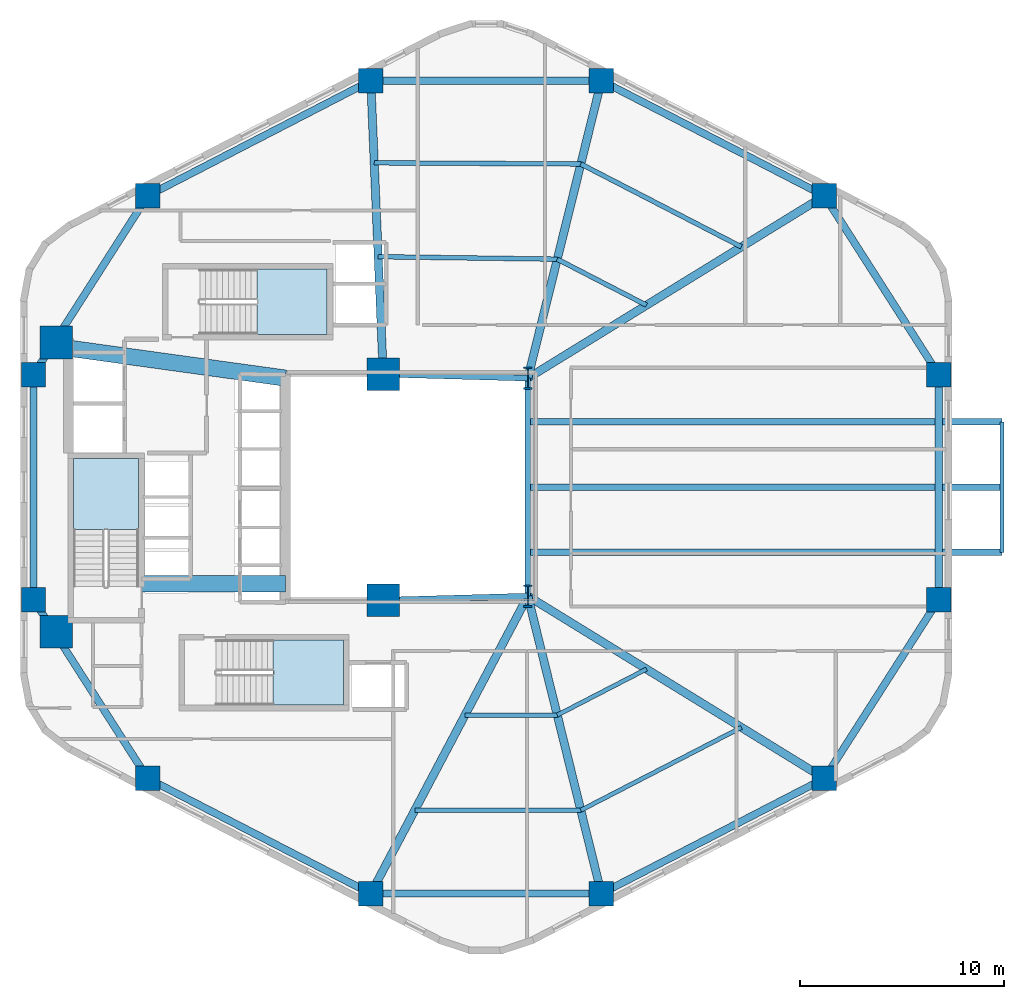
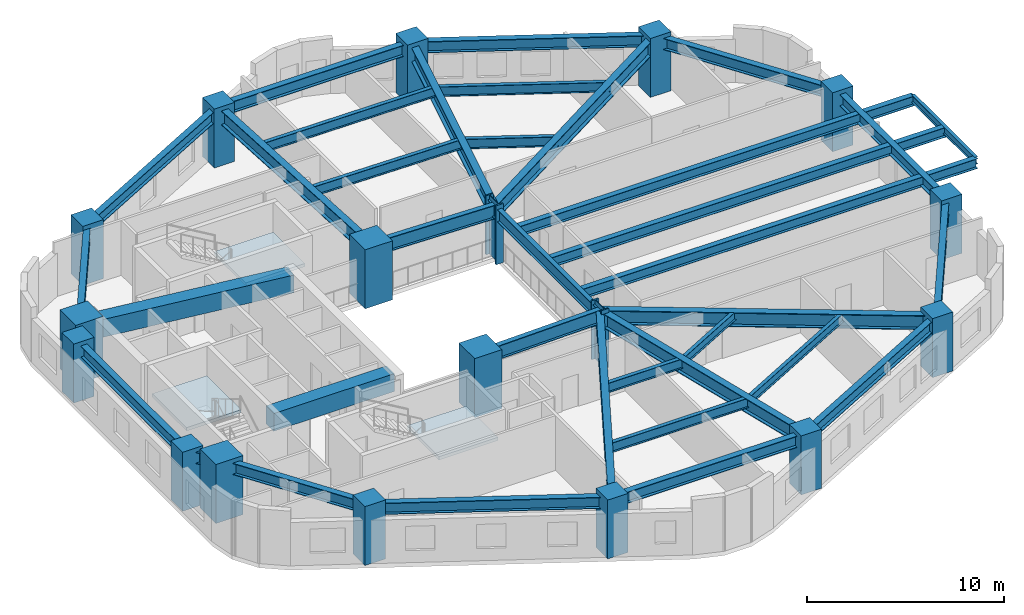
# One storey, part 1 of 6: 35 beams, 18 columns, 3 slabs, 3 elements without a shape of their own.
"""IFC4 building model written with IfcOpenShell, lengths in metres."""

from ifc_helpers import new_model, si_unit, direction, frame, origin, origin_2d, place, context, subcontext, project, spatial, polyline, rectangle, i_section, outline, extrude, material, layer, layer_set, material_profile, profile_set, type_object, element, aggregate, save


model = new_model("IFC4")

# Units and contexts
model_context = context("Model", 3, precision=1e-05, world=origin(), true_north=direction((0.0, 1.0)))
body_context = subcontext(model_context, "Body", "Model", "MODEL_VIEW")
ifc_project = project(units=[si_unit("LENGTHUNIT", "METRE"), si_unit("AREAUNIT", "SQUARE_METRE"), si_unit("VOLUMEUNIT", "CUBIC_METRE"), si_unit("PLANEANGLEUNIT", "RADIAN"), si_unit("MASSUNIT", "GRAM", prefix="KILO"), si_unit("THERMODYNAMICTEMPERATUREUNIT", "KELVIN"), si_unit("POWERUNIT", "WATT")], contexts=[model_context])

# Site, building, storey
site_placement = place(None, origin())
site = spatial("IfcSite", under=ifc_project, at=site_placement, CompositionType="ELEMENT")
building_placement = place(site_placement, origin())
building = spatial("IfcBuilding", under=site, at=building_placement, Name="Skarre Station Tower", CompositionType="ELEMENT")
storey_placement = place(building_placement, frame((0.0, 0.0, 67.14990234375)))
storey = spatial("IfcBuildingStorey", under=building, at=storey_placement, Name="L17", CompositionType="ELEMENT", Elevation=67.14990234375)

# Columns
ifc_material_1 = material(Name="Concrete C60/75", Category="concrete")
ifc_material_profile_1 = material_profile(ifc_material_1, rectangle(XDim=1.199951171875, YDim=1.199951171875, at=origin_2d()), Name="Concrete C60/75")
ifc_profile_set_1 = profile_set([ifc_material_profile_1], Name="Concrete C60/75")
column_type_1 = type_object("IfcColumnType", Name="RC Structural Column RC-COL-1200X1200", PredefinedType="COLUMN", material=ifc_profile_set_1)
for number, where, z_axis, x_axis, name in (
    (1, (54.007080078125, 38.298095703125, 0.0), (0.0, 0.0, 1.0), (1.0, 0.0, 0.0), "L17 Zone 1 Perimeter Column F0C1"),
    (2, (43.06005859375, 43.947021484375, 0.0), (0.0, 0.0, 1.0), (1.0, 0.0, 0.0), "L17 Zone 1 Perimeter Column F0C2"),
    (3, (31.739990234375, 43.947021484375, 0.0), (0.0, 0.0, 1.0), (1.0, 0.0, 0.0), "L17 Zone 1 Perimeter Column F1C1"),
    (4, (20.79296875, 38.298095703125, 0.0), (0.0, 0.0, 1.0), (1.0, 0.0, 0.0), "L17 Zone 1 Perimeter Column F1C2"),
    (5, (15.18701171875, 29.52099609375, 0.0), (0.0, 0.0, 1.0), (1.0, 0.0, 0.0), "L17 Zone 1 Perimeter Column F2C1"),
    (6, (15.18701171875, 18.47900390625, 0.0), (0.0, 0.0, 1.0), (1.0, 0.0, 0.0), "L17 Zone 1 Perimeter Column F2C2"),
    (7, (20.79296875, 9.701904296875, 0.0), (0.0, 0.0, 1.0), (1.0, 0.0, 0.0), "L17 Zone 1 Perimeter Column F3C1"),
    (8, (31.739990234375, 4.052978515625, 0.0), (0.0, 0.0, 1.0), (1.0, 0.0, 0.0), "L17 Zone 1 Perimeter Column F3C2"),
    (9, (43.06005859375, 4.052978515625, 0.0), (0.0, 0.0, 1.0), (1.0, 0.0, 0.0), "L17 Zone 1 Perimeter Column F4C1"),
    (10, (54.007080078125, 9.701904296875, 0.0), (0.0, 0.0, 1.0), (1.0, 0.0, 0.0), "L17 Zone 1 Perimeter Column F4C2"),
    (11, (59.613037109375, 18.47900390625, 0.0), (0.0, 0.0, 1.0), (1.0, 0.0, 0.0), "L17 Zone 1 Perimeter Column F5C1"),
    (12, (59.613037109375, 29.52099609375, 0.0), (0.0, 0.0, 1.0), (1.0, 0.0, 0.0), "L17 Zone 1 Perimeter Column F5C2"),
):
    element("IfcColumn", number, at=place(storey_placement, frame(where, z_axis=z_axis, x_axis=x_axis)), inside=storey, type_object=column_type_1, Name=name, PredefinedType="COLUMN", context=body_context, shape_type="SweptSolid", body=[
        extrude(rectangle(XDim=1.199951171875, YDim=1.199951171875, at=origin_2d()), origin(), (0.0, 0.0, 1.0), 3.650146484375),
    ])
ifc_material_2 = material(Name="Concrete C70/85", Category="concrete")
ifc_material_profile_2 = material_profile(ifc_material_2, rectangle(XDim=1.60009765625, YDim=1.60009765625, at=origin_2d()), Name="Concrete C70/85")
ifc_profile_set_2 = profile_set([ifc_material_profile_2], Name="Concrete C70/85")
column_type_2 = type_object("IfcColumnType", Name="RC Structural Column RC-COL-1600X1600", PredefinedType="COLUMN", material=ifc_profile_set_2)
for number, where, z_axis, x_axis, name in (
    (13, (16.300048828125, 16.89990234375, 0.0), (0.0, 0.0, 1.0), (1.0, 0.0, 0.0), "L17 Core Column CC-SW"),
    (14, (16.300048828125, 31.10009765625, 0.0), (0.0, 0.0, 1.0), (1.0, 0.0, 0.0), "L17 Core Column CC-NW"),
    (15, (32.35009765625, 18.449951171875, 0.0), (0.0, 0.0, 1.0), (1.0, 0.0, 0.0), "L17 Core Column CC-SE"),
    (16, (32.35009765625, 29.550048828125, 0.0), (0.0, 0.0, 1.0), (1.0, 0.0, 0.0), "L17 Core Column CC-NE"),
):
    element("IfcColumn", number, at=place(storey_placement, frame(where, z_axis=z_axis, x_axis=x_axis)), inside=storey, type_object=column_type_2, Name=name, PredefinedType="COLUMN", context=body_context, shape_type="SweptSolid", body=[
        extrude(rectangle(XDim=1.60009765625, YDim=1.60009765625, at=origin_2d()), origin(), (0.0, 0.0, 1.0), 3.650146484375),
    ])
ifc_material_3 = material(Name="Steel ASTM A913 Grade 65", Category="steel")
ifc_material_profile_3 = material_profile(ifc_material_3, i_section(OverallWidth=0.424072265625, OverallDepth=1.092041015625, WebThickness=0.044921875, FlangeThickness=0.08203125, at=origin_2d()), Name="Steel ASTM A913 Grade 65")
ifc_profile_set_3 = profile_set([ifc_material_profile_3], Name="Steel ASTM A913 Grade 65")
column_type_3 = type_object("IfcColumnType", Name="Steel Column W40X593", PredefinedType="COLUMN", material=ifc_profile_set_3)
for number, where, z_axis, x_axis, name in (
    (17, (39.449951171875, 18.64990234375, 0.0), (0.0, 0.0, 1.0), (1.0, 0.0, 0.0), "L17 Atrium Spine Column AC-SE"),
    (18, (39.449951171875, 29.35009765625, 0.0), (0.0, 0.0, 1.0), (1.0, 0.0, 0.0), "L17 Atrium Spine Column AC-NE"),
):
    element("IfcColumn", number, at=place(storey_placement, frame(where, z_axis=z_axis, x_axis=x_axis)), inside=storey, type_object=column_type_3, Name=name, PredefinedType="COLUMN", context=body_context, shape_type="SweptSolid", body=[
        extrude(i_section(OverallWidth=0.424072265625, OverallDepth=1.092041015625, WebThickness=0.044921875, FlangeThickness=0.08203125, at=origin_2d()), origin(), (0.0, 0.0, 1.0), 3.650146484375),
    ])

# Beams
ifc_material_profile_4 = material_profile(ifc_material_2, rectangle(XDim=0.800048828125, YDim=1.10009765625, at=origin_2d()), Name="Concrete C70/85")
ifc_profile_set_4 = profile_set([ifc_material_profile_4], Name="Concrete C70/85")
beam_type_1 = type_object("IfcBeamType", Name="RC Core Coupling Lintel 800x1100", PredefinedType="LINTEL", material=ifc_profile_set_4)
beam_1_placement = place(storey_placement, frame((20.489990234375, 19.260009765625, 2.840087890625), z_axis=(1.0, 0.0, 0.0), x_axis=(0.0, 1.0, 0.0)))
element("IfcBeam", 19, at=beam_1_placement, inside=storey, type_object=beam_type_1, Name="L17 South Core Coupling Lintel", PredefinedType="LINTEL", context=body_context, shape_type="SweptSolid", body=[
    extrude(rectangle(XDim=0.800048828125, YDim=1.10009765625, at=origin_2d()), origin(), (0.0, 0.0, 1.0), 7.06005859375),
])
beam_2_placement = place(storey_placement, frame((17.050048828125, 30.800048828125, 2.840087890625), z_axis=(0.990599723633, -0.136792498109, 0.0), x_axis=(0.136792498109, 0.990599723633, 0.0)))
element("IfcBeam", 20, at=beam_2_placement, inside=storey, type_object=beam_type_1, Name="L17 North Core Coupling Lintel", PredefinedType="LINTEL", context=body_context, shape_type="SweptSolid", body=[
    extrude(rectangle(XDim=0.800048828125, YDim=1.10009765625, at=origin_2d()), origin(), (0.0, 0.0, 1.0), 10.599609375),
])
ifc_material_4 = material(Name="Steel ASTM A992 Grade 50", Category="steel")
ifc_material_profile_5 = material_profile(ifc_material_4, i_section(OverallWidth=0.323974609375, OverallDepth=0.611083984375, WebThickness=0.012939453125, FlangeThickness=0.01904296875, at=origin_2d()), Name="Steel ASTM A992 Grade 50")
ifc_profile_set_5 = profile_set([ifc_material_profile_5], Name="Steel ASTM A992 Grade 50")
beam_type_2 = type_object("IfcBeamType", Name="Steel Beam W24X104", PredefinedType="BEAM", material=ifc_profile_set_5)
for number, where, z_axis, x_axis, name in (
    (21, (39.449951171875, 24.0, 3.0), (1.0, 0.0, 0.0), (0.0, 1.0, 0.0), "L17 TB-L18-F5 Center Outrigger Beam"),
    (22, (39.449951171875, 20.800048828125, 3.0), (1.0, 0.0, 0.0), (0.0, 1.0, 0.0), "L17 TB-L18-F5 Outrigger Beam 1"),
    (23, (39.449951171875, 27.199951171875, 3.0), (1.0, 0.0, 0.0), (0.0, 1.0, 0.0), "L17 TB-L18-F5 Outrigger Beam 2"),
):
    element("IfcBeam", number, at=place(storey_placement, frame(where, z_axis=z_axis, x_axis=x_axis)), inside=storey, type_object=beam_type_2, Name=name, PredefinedType="BEAM", context=body_context, shape_type="SweptSolid", body=[
        extrude(i_section(OverallWidth=0.323974609375, OverallDepth=0.611083984375, WebThickness=0.012939453125, FlangeThickness=0.01904296875, at=origin_2d()), origin(), (0.0, 0.0, 1.0), 23.27294921875),
    ])
ifc_material_profile_6 = material_profile(ifc_material_4, i_section(OverallWidth=0.26806640625, OverallDepth=0.77001953125, WebThickness=0.01611328125, FlangeThickness=0.02490234375, at=origin_2d()), Name="Steel ASTM A992 Grade 50")
ifc_profile_set_6 = profile_set([ifc_material_profile_6], Name="Steel ASTM A992 Grade 50")
beam_type_3 = type_object("IfcBeamType", Name="Steel Beam W30X132", PredefinedType="BEAM", material=ifc_profile_set_6)
beam_3_placement = place(storey_placement, frame((39.449951171875, 18.64990234375, 3.005126953125), z_axis=(0.0, 1.0, 0.0), x_axis=(-1.0, 0.0, 0.0)))
element("IfcBeam", 24, at=beam_3_placement, inside=storey, type_object=beam_type_3, Name="L17 Atrium East Edge Girder", PredefinedType="BEAM", context=body_context, shape_type="SweptSolid", body=[
    extrude(i_section(OverallWidth=0.26806640625, OverallDepth=0.77001953125, WebThickness=0.01611328125, FlangeThickness=0.02490234375, at=origin_2d()), origin(), (0.0, 0.0, 1.0), 10.7001953125),
])
ifc_material_profile_7 = material_profile(ifc_material_4, i_section(OverallWidth=0.2919921875, OverallDepth=0.85888671875, WebThickness=0.01708984375, FlangeThickness=0.031005859375, at=origin_2d()), Name="Steel ASTM A992 Grade 50")
ifc_profile_set_7 = profile_set([ifc_material_profile_7], Name="Steel ASTM A992 Grade 50")
beam_type_4 = type_object("IfcBeamType", Name="Steel Beam W33X169", PredefinedType="BEAM", material=ifc_profile_set_7)
for number, where, z_axis, x_axis, name in (
    (25, (32.35009765625, 18.449951171875, 2.961181640625), (0.999603666405, 0.028151556095, 0.0), (-0.028151556095, 0.999603666405, 0.0), "L17 Atrium South Edge Girder"),
    (26, (32.35009765625, 29.550048828125, 2.961181640625), (0.999603666405, -0.028151556095, 0.0), (0.028151556095, 0.999603666405, 0.0), "L17 Atrium North Edge Girder"),
):
    element("IfcBeam", number, at=place(storey_placement, frame(where, z_axis=z_axis, x_axis=x_axis)), inside=storey, type_object=beam_type_4, Name=name, PredefinedType="BEAM", context=body_context, shape_type="SweptSolid", body=[
        extrude(i_section(OverallWidth=0.2919921875, OverallDepth=0.85888671875, WebThickness=0.01708984375, FlangeThickness=0.031005859375, at=origin_2d()), origin(), (0.0, 0.0, 1.0), 7.102783203125),
    ])
ifc_material_profile_8 = material_profile(ifc_material_4, i_section(OverallWidth=0.40087890625, OverallDepth=0.876953125, WebThickness=0.02197265625, FlangeThickness=0.0400390625, at=origin_2d()), Name="Steel ASTM A992 Grade 50")
ifc_profile_set_8 = profile_set([ifc_material_profile_8], Name="Steel ASTM A992 Grade 50")
beam_type_5 = type_object("IfcBeamType", Name="Steel Beam W33X263", PredefinedType="BEAM", material=ifc_profile_set_8)
beam_4_placement = place(storey_placement, frame((39.449951171875, 29.35009765625, 2.9521484375), z_axis=(0.851925565957, 0.523662897358, 0.0), x_axis=(-0.523662897358, 0.851925565957, 0.0)))
element("IfcBeam", 27, at=beam_4_placement, inside=storey, type_object=beam_type_5, Name="L17 Radial Floor Girder F0C1", PredefinedType="BEAM", context=body_context, shape_type="SweptSolid", body=[
    extrude(i_section(OverallWidth=0.40087890625, OverallDepth=0.876953125, WebThickness=0.02197265625, FlangeThickness=0.0400390625, at=origin_2d()), origin(), (0.0, 0.0, 1.0), 17.08740234375),
])
beam_5_placement = place(storey_placement, frame((39.449951171875, 29.35009765625, 2.9521484375), z_axis=(0.240086037639, 0.9707516132, 0.0), x_axis=(-0.9707516132, 0.240086037639, 0.0)))
element("IfcBeam", 28, at=beam_5_placement, inside=storey, type_object=beam_type_5, Name="L17 Radial Floor Girder F0C2", PredefinedType="BEAM", context=body_context, shape_type="SweptSolid", body=[
    extrude(i_section(OverallWidth=0.40087890625, OverallDepth=0.876953125, WebThickness=0.02197265625, FlangeThickness=0.0400390625, at=origin_2d()), origin(), (0.0, 0.0, 1.0), 15.03662109375),
])
beam_6_placement = place(storey_placement, frame((32.35009765625, 29.550048828125, 2.9521484375), z_axis=(-0.042339479433, 0.999103282189, 0.0), x_axis=(-0.999103282189, -0.042339479433, 0.0)))
element("IfcBeam", 29, at=beam_6_placement, inside=storey, type_object=beam_type_5, Name="L17 Radial Floor Girder F1C1", PredefinedType="BEAM", context=body_context, shape_type="SweptSolid", body=[
    extrude(i_section(OverallWidth=0.40087890625, OverallDepth=0.876953125, WebThickness=0.02197265625, FlangeThickness=0.0400390625, at=origin_2d()), origin(), (0.0, 0.0, 1.0), 14.409912109375),
])
beam_7_placement = place(storey_placement, frame((39.449951171875, 18.64990234375, 2.9521484375), z_axis=(-0.467044240884, -0.884233949279, 0.0), x_axis=(0.884233949279, -0.467044240884, 0.0)))
element("IfcBeam", 30, at=beam_7_placement, inside=storey, type_object=beam_type_5, Name="L17 Radial Floor Girder F3C2", PredefinedType="BEAM", context=body_context, shape_type="SweptSolid", body=[
    extrude(i_section(OverallWidth=0.40087890625, OverallDepth=0.876953125, WebThickness=0.02197265625, FlangeThickness=0.0400390625, at=origin_2d()), origin(), (0.0, 0.0, 1.0), 16.508056640625),
])
beam_8_placement = place(storey_placement, frame((39.449951171875, 18.64990234375, 2.9521484375), z_axis=(0.240086037639, -0.9707516132, 0.0), x_axis=(0.9707516132, 0.240086037639, 0.0)))
element("IfcBeam", 31, at=beam_8_placement, inside=storey, type_object=beam_type_5, Name="L17 Radial Floor Girder F4C1", PredefinedType="BEAM", context=body_context, shape_type="SweptSolid", body=[
    extrude(i_section(OverallWidth=0.40087890625, OverallDepth=0.876953125, WebThickness=0.02197265625, FlangeThickness=0.0400390625, at=origin_2d()), origin(), (0.0, 0.0, 1.0), 15.03662109375),
])
beam_9_placement = place(storey_placement, frame((39.449951171875, 18.64990234375, 2.9521484375), z_axis=(0.851925565957, -0.523662897358, 0.0), x_axis=(0.523662897358, 0.851925565957, 0.0)))
element("IfcBeam", 32, at=beam_9_placement, inside=storey, type_object=beam_type_5, Name="L17 Radial Floor Girder F4C2", PredefinedType="BEAM", context=body_context, shape_type="SweptSolid", body=[
    extrude(i_section(OverallWidth=0.40087890625, OverallDepth=0.876953125, WebThickness=0.02197265625, FlangeThickness=0.0400390625, at=origin_2d()), origin(), (0.0, 0.0, 1.0), 17.08740234375),
])
ifc_material_profile_9 = material_profile(ifc_material_4, i_section(OverallWidth=0.19091796875, OverallDepth=0.45703125, WebThickness=0.009033203125, FlangeThickness=0.013916015625, at=origin_2d()), Name="Steel ASTM A992 Grade 50")
ifc_profile_set_9 = profile_set([ifc_material_profile_9], Name="Steel ASTM A992 Grade 50")
beam_type_6 = type_object("IfcBeamType", Name="Steel Joist W18X50", PredefinedType="JOIST", material=ifc_profile_set_9)
beam_10_placement = place(storey_placement, frame((62.722900390625, 20.800048828125, 3.0771484375), z_axis=(0.0, 1.0, 0.0), x_axis=(-1.0, 0.0, 0.0)))
element("IfcBeam", 33, at=beam_10_placement, inside=storey, type_object=beam_type_6, Name="L17 TB-L18-F5 Rim Beam", PredefinedType="JOIST", context=body_context, shape_type="SweptSolid", body=[
    extrude(i_section(OverallWidth=0.19091796875, OverallDepth=0.45703125, WebThickness=0.009033203125, FlangeThickness=0.013916015625, at=origin_2d()), origin(), (0.0, 0.0, 1.0), 6.39990234375),
])
ifc_material_profile_10 = material_profile(ifc_material_4, i_section(OverallWidth=0.208984375, OverallDepth=0.532958984375, WebThickness=0.010009765625, FlangeThickness=0.01611328125, at=origin_2d()), Name="Steel ASTM A992 Grade 50")
ifc_profile_set_10 = profile_set([ifc_material_profile_10], Name="Steel ASTM A992 Grade 50")
beam_type_7 = type_object("IfcBeamType", Name="Steel Joist W21X62", PredefinedType="JOIST", material=ifc_profile_set_10)
beam_11_placement = place(storey_placement, frame((40.89404296875, 12.81103515625, 3.1240234375), z_axis=(0.888626519249, 0.458631561591, 0.0), x_axis=(-0.458631561591, 0.888626519249, 0.0)))
element("IfcBeam", 34, at=beam_11_placement, inside=storey, type_object=beam_type_7, Name="L17 Auxiliary Composite Joist 7", PredefinedType="JOIST", context=body_context, shape_type="SweptSolid", body=[
    extrude(i_section(OverallWidth=0.208984375, OverallDepth=0.532958984375, WebThickness=0.010009765625, FlangeThickness=0.01611328125, at=origin_2d()), origin(), (0.0, 0.0, 1.0), 4.927734375),
])
beam_12_placement = place(storey_placement, frame((42.049072265625, 8.139892578125, 3.1240234375), z_axis=(0.88866227096, 0.458562283853, 0.0), x_axis=(-0.458562283853, 0.88866227096, 0.0)))
element("IfcBeam", 35, at=beam_12_placement, inside=storey, type_object=beam_type_7, Name="L17 Auxiliary Composite Joist 8", PredefinedType="JOIST", context=body_context, shape_type="SweptSolid", body=[
    extrude(i_section(OverallWidth=0.208984375, OverallDepth=0.532958984375, WebThickness=0.010009765625, FlangeThickness=0.01611328125, at=origin_2d()), origin(), (0.0, 0.0, 1.0), 8.869384765625),
])
ifc_material_profile_11 = material_profile(ifc_material_4, i_section(OverallWidth=0.22802734375, OverallDepth=0.60791015625, WebThickness=0.010986328125, FlangeThickness=0.01708984375, at=origin_2d()), Name="Steel ASTM A992 Grade 50")
ifc_profile_set_11 = profile_set([ifc_material_profile_11], Name="Steel ASTM A992 Grade 50")
beam_type_8 = type_object("IfcBeamType", Name="Steel Joist W24X76", PredefinedType="JOIST", material=ifc_profile_set_11)
beam_13_placement = place(storey_placement, frame((45.27294921875, 32.928955078125, 3.086181640625), z_axis=(-0.888626519249, 0.458631561591, 0.0), x_axis=(-0.458631561591, -0.888626519249, 0.0)))
element("IfcBeam", 36, at=beam_13_placement, inside=storey, type_object=beam_type_8, Name="L17 Secondary Floor Joist 1", PredefinedType="JOIST", context=body_context, shape_type="SweptSolid", body=[
    extrude(i_section(OverallWidth=0.22802734375, OverallDepth=0.60791015625, WebThickness=0.010986328125, FlangeThickness=0.01708984375, at=origin_2d()), origin(), (0.0, 0.0, 1.0), 4.927734375),
])
beam_14_placement = place(storey_placement, frame((49.930908203125, 35.79296875, 3.086181640625), z_axis=(-0.88866227096, 0.458562283853, 0.0), x_axis=(-0.458562283853, -0.88866227096, 0.0)))
element("IfcBeam", 37, at=beam_14_placement, inside=storey, type_object=beam_type_8, Name="L17 Secondary Floor Joist 2", PredefinedType="JOIST", context=body_context, shape_type="SweptSolid", body=[
    extrude(i_section(OverallWidth=0.22802734375, OverallDepth=0.60791015625, WebThickness=0.010986328125, FlangeThickness=0.01708984375, at=origin_2d()), origin(), (0.0, 0.0, 1.0), 8.869384765625),
])
beam_15_placement = place(storey_placement, frame((40.89404296875, 35.18896484375, 3.086181640625), z_axis=(-0.999906603441, 0.013666908792, 0.0), x_axis=(-0.013666908792, -0.999906603441, 0.0)))
element("IfcBeam", 38, at=beam_15_placement, inside=storey, type_object=beam_type_8, Name="L17 Secondary Floor Joist 3", PredefinedType="JOIST", context=body_context, shape_type="SweptSolid", body=[
    extrude(i_section(OverallWidth=0.22802734375, OverallDepth=0.60791015625, WebThickness=0.010986328125, FlangeThickness=0.01708984375, at=origin_2d()), origin(), (0.0, 0.0, 1.0), 8.788818359375),
])
beam_16_placement = place(storey_placement, frame((42.049072265625, 39.860107421875, 3.086181640625), z_axis=(-0.999984794845, 0.005514533498, 0.0), x_axis=(-0.005514533498, -0.999984794845, 0.0)))
element("IfcBeam", 39, at=beam_16_placement, inside=storey, type_object=beam_type_8, Name="L17 Secondary Floor Joist 4", PredefinedType="JOIST", context=body_context, shape_type="SweptSolid", body=[
    extrude(i_section(OverallWidth=0.22802734375, OverallDepth=0.60791015625, WebThickness=0.010986328125, FlangeThickness=0.01708984375, at=origin_2d()), origin(), (0.0, 0.0, 1.0), 10.138427734375),
])
beam_17_placement = place(storey_placement, frame((36.365966796875, 12.81103515625, 3.086181640625), z_axis=(1.0, 0.0, 0.0), x_axis=(0.0, 1.0, 0.0)))
element("IfcBeam", 40, at=beam_17_placement, inside=storey, type_object=beam_type_8, Name="L17 Secondary Floor Joist 5", PredefinedType="JOIST", context=body_context, shape_type="SweptSolid", body=[
    extrude(i_section(OverallWidth=0.22802734375, OverallDepth=0.60791015625, WebThickness=0.010986328125, FlangeThickness=0.01708984375, at=origin_2d()), origin(), (0.0, 0.0, 1.0), 4.528076171875),
])
beam_18_placement = place(storey_placement, frame((33.89892578125, 8.139892578125, 3.086181640625), z_axis=(1.0, 0.0, 0.0), x_axis=(0.0, 1.0, 0.0)))
element("IfcBeam", 41, at=beam_18_placement, inside=storey, type_object=beam_type_8, Name="L17 Secondary Floor Joist 6", PredefinedType="JOIST", context=body_context, shape_type="SweptSolid", body=[
    extrude(i_section(OverallWidth=0.22802734375, OverallDepth=0.60791015625, WebThickness=0.010986328125, FlangeThickness=0.01708984375, at=origin_2d()), origin(), (0.0, 0.0, 1.0), 8.150146484375),
])
ifc_material_profile_12 = material_profile(ifc_material_4, i_section(OverallWidth=0.35791015625, OverallDepth=0.7060546875, WebThickness=0.01806640625, FlangeThickness=0.030029296875, at=origin_2d()), Name="Steel ASTM A992 Grade 50")
ifc_profile_set_12 = profile_set([ifc_material_profile_12], Name="Steel ASTM A992 Grade 50")
beam_type_9 = type_object("IfcBeamType", Name="Steel Spandrel W27X178", PredefinedType="SPANDREL", material=ifc_profile_set_12)
beam_19_placement = place(storey_placement, frame((54.007080078125, 38.298095703125, 3.037109375), z_axis=(-0.888658695823, 0.458569212158, 0.0), x_axis=(-0.458569212158, -0.888658695823, 0.0)))
element("IfcBeam", 42, at=beam_19_placement, inside=storey, type_object=beam_type_9, Name="L17 Facet Spandrel Beam 1", PredefinedType="SPANDREL", context=body_context, shape_type="SweptSolid", body=[
    extrude(i_section(OverallWidth=0.35791015625, OverallDepth=0.7060546875, WebThickness=0.01806640625, FlangeThickness=0.030029296875, at=origin_2d()), origin(), (0.0, 0.0, 1.0), 12.318603515625),
])
beam_20_placement = place(storey_placement, frame((43.06005859375, 43.947021484375, 3.037109375), z_axis=(-1.0, 0.0, 0.0), x_axis=(0.0, -1.0, 0.0)))
element("IfcBeam", 43, at=beam_20_placement, inside=storey, type_object=beam_type_9, Name="L17 Facet Spandrel Beam 2", PredefinedType="SPANDREL", context=body_context, shape_type="SweptSolid", body=[
    extrude(i_section(OverallWidth=0.35791015625, OverallDepth=0.7060546875, WebThickness=0.01806640625, FlangeThickness=0.030029296875, at=origin_2d()), origin(), (0.0, 0.0, 1.0), 11.320068359375),
])
beam_21_placement = place(storey_placement, frame((31.739990234375, 43.947021484375, 3.037109375), z_axis=(-0.888658695823, -0.458569212158, 0.0), x_axis=(0.458569212158, -0.888658695823, 0.0)))
element("IfcBeam", 44, at=beam_21_placement, inside=storey, type_object=beam_type_9, Name="L17 Facet Spandrel Beam 3", PredefinedType="SPANDREL", context=body_context, shape_type="SweptSolid", body=[
    extrude(i_section(OverallWidth=0.35791015625, OverallDepth=0.7060546875, WebThickness=0.01806640625, FlangeThickness=0.030029296875, at=origin_2d()), origin(), (0.0, 0.0, 1.0), 12.318603515625),
])
beam_22_placement = place(storey_placement, frame((20.79296875, 38.298095703125, 3.037109375), z_axis=(-0.538277829225, -0.842767452246, 0.0), x_axis=(0.842767452246, -0.538277829225, 0.0)))
element("IfcBeam", 45, at=beam_22_placement, inside=storey, type_object=beam_type_9, Name="L17 Facet Spandrel Beam 4", PredefinedType="SPANDREL", context=body_context, shape_type="SweptSolid", body=[
    extrude(i_section(OverallWidth=0.35791015625, OverallDepth=0.7060546875, WebThickness=0.01806640625, FlangeThickness=0.030029296875, at=origin_2d()), origin(), (0.0, 0.0, 1.0), 10.41455078125),
])
beam_23_placement = place(storey_placement, frame((15.18701171875, 29.52099609375, 3.037109375), z_axis=(0.0, -1.0, 0.0), x_axis=(1.0, 0.0, 0.0)))
element("IfcBeam", 46, at=beam_23_placement, inside=storey, type_object=beam_type_9, Name="L17 Facet Spandrel Beam 5", PredefinedType="SPANDREL", context=body_context, shape_type="SweptSolid", body=[
    extrude(i_section(OverallWidth=0.35791015625, OverallDepth=0.7060546875, WebThickness=0.01806640625, FlangeThickness=0.030029296875, at=origin_2d()), origin(), (0.0, 0.0, 1.0), 11.0419921875),
])
beam_24_placement = place(storey_placement, frame((15.18701171875, 18.47900390625, 3.037109375), z_axis=(0.538277829225, -0.842767452246, 0.0), x_axis=(0.842767452246, 0.538277829225, 0.0)))
element("IfcBeam", 47, at=beam_24_placement, inside=storey, type_object=beam_type_9, Name="L17 Facet Spandrel Beam 6", PredefinedType="SPANDREL", context=body_context, shape_type="SweptSolid", body=[
    extrude(i_section(OverallWidth=0.35791015625, OverallDepth=0.7060546875, WebThickness=0.01806640625, FlangeThickness=0.030029296875, at=origin_2d()), origin(), (0.0, 0.0, 1.0), 10.41455078125),
])
beam_25_placement = place(storey_placement, frame((20.79296875, 9.701904296875, 3.037109375), z_axis=(0.888658695823, -0.458569212158, 0.0), x_axis=(0.458569212158, 0.888658695823, 0.0)))
element("IfcBeam", 48, at=beam_25_placement, inside=storey, type_object=beam_type_9, Name="L17 Facet Spandrel Beam 7", PredefinedType="SPANDREL", context=body_context, shape_type="SweptSolid", body=[
    extrude(i_section(OverallWidth=0.35791015625, OverallDepth=0.7060546875, WebThickness=0.01806640625, FlangeThickness=0.030029296875, at=origin_2d()), origin(), (0.0, 0.0, 1.0), 12.318603515625),
])
beam_26_placement = place(storey_placement, frame((31.739990234375, 4.052978515625, 3.037109375), z_axis=(1.0, 0.0, 0.0), x_axis=(0.0, 1.0, 0.0)))
element("IfcBeam", 49, at=beam_26_placement, inside=storey, type_object=beam_type_9, Name="L17 Facet Spandrel Beam 8", PredefinedType="SPANDREL", context=body_context, shape_type="SweptSolid", body=[
    extrude(i_section(OverallWidth=0.35791015625, OverallDepth=0.7060546875, WebThickness=0.01806640625, FlangeThickness=0.030029296875, at=origin_2d()), origin(), (0.0, 0.0, 1.0), 11.320068359375),
])
beam_27_placement = place(storey_placement, frame((43.06005859375, 4.052978515625, 3.037109375), z_axis=(0.888658695823, 0.458569212158, 0.0), x_axis=(-0.458569212158, 0.888658695823, 0.0)))
element("IfcBeam", 50, at=beam_27_placement, inside=storey, type_object=beam_type_9, Name="L17 Facet Spandrel Beam 9", PredefinedType="SPANDREL", context=body_context, shape_type="SweptSolid", body=[
    extrude(i_section(OverallWidth=0.35791015625, OverallDepth=0.7060546875, WebThickness=0.01806640625, FlangeThickness=0.030029296875, at=origin_2d()), origin(), (0.0, 0.0, 1.0), 12.318603515625),
])
beam_28_placement = place(storey_placement, frame((54.007080078125, 9.701904296875, 3.037109375), z_axis=(0.538277829225, 0.842767452246, 0.0), x_axis=(-0.842767452246, 0.538277829225, 0.0)))
element("IfcBeam", 51, at=beam_28_placement, inside=storey, type_object=beam_type_9, Name="L17 Facet Spandrel Beam 10", PredefinedType="SPANDREL", context=body_context, shape_type="SweptSolid", body=[
    extrude(i_section(OverallWidth=0.35791015625, OverallDepth=0.7060546875, WebThickness=0.01806640625, FlangeThickness=0.030029296875, at=origin_2d()), origin(), (0.0, 0.0, 1.0), 10.41455078125),
])
beam_29_placement = place(storey_placement, frame((59.613037109375, 18.47900390625, 3.037109375), z_axis=(0.0, 1.0, 0.0), x_axis=(-1.0, 0.0, 0.0)))
element("IfcBeam", 52, at=beam_29_placement, inside=storey, type_object=beam_type_9, Name="L17 Facet Spandrel Beam 11", PredefinedType="SPANDREL", context=body_context, shape_type="SweptSolid", body=[
    extrude(i_section(OverallWidth=0.35791015625, OverallDepth=0.7060546875, WebThickness=0.01806640625, FlangeThickness=0.030029296875, at=origin_2d()), origin(), (0.0, 0.0, 1.0), 11.0419921875),
])
beam_30_placement = place(storey_placement, frame((59.613037109375, 29.52099609375, 3.037109375), z_axis=(-0.538277829225, 0.842767452246, 0.0), x_axis=(-0.842767452246, -0.538277829225, 0.0)))
element("IfcBeam", 53, at=beam_30_placement, inside=storey, type_object=beam_type_9, Name="L17 Facet Spandrel Beam 12", PredefinedType="SPANDREL", context=body_context, shape_type="SweptSolid", body=[
    extrude(i_section(OverallWidth=0.35791015625, OverallDepth=0.7060546875, WebThickness=0.01806640625, FlangeThickness=0.030029296875, at=origin_2d()), origin(), (0.0, 0.0, 1.0), 10.41455078125),
])

# Stair, slab
ifc_material_5 = material(Name="Concrete C40/50", Category="concrete")
stair_type_1 = type_object("IfcStairType", Name="Reinforced Concrete Exit Stair ST-1", PredefinedType="HALF_TURN_STAIR", material=ifc_material_5)
stair_1_placement = place(storey_placement, origin())
stair_1 = element("IfcStair", 54, at=stair_1_placement, inside=storey, type_object=stair_type_1, Name="L17 Core Exit Stair ST-1", PredefinedType="HALF_TURN_STAIR")
ifc_layer = layer(ifc_material_5, 0.219970703125, Name="Concrete C40/50")
ifc_layer_set = layer_set([ifc_layer], Name="Concrete C40/50")
slab_type = type_object("IfcSlabType", Name="Reinforced Concrete Stair & Ramp Landing 220", PredefinedType="LANDING", material=ifc_layer_set)
slab_1_placement = place(storey_placement, frame((0.0, 0.0, 1.625)))
slab_1 = element("IfcSlab", 55, at=slab_1_placement, type_object=slab_type, Name="ST-1 landing 1", PredefinedType="LANDING", context=body_context, shape_type="SweptSolid", body=[
    extrude(outline(polyline([(20.35009765625, 21.919921875), (20.35009765625, 25.39990234375), (17.14990234375, 25.39990234375), (17.14990234375, 21.919921875), (20.35009765625, 21.919921875)])), origin(), (0.0, 0.0, 1.0), 0.2001953125),
])
aggregate(stair_1, [slab_1])

stair_type_2 = type_object("IfcStairType", Name="Reinforced Concrete Exit Stair ST-2", PredefinedType="HALF_TURN_STAIR", material=ifc_material_5)
stair_2_placement = place(storey_placement, origin())
stair_2 = element("IfcStair", 56, at=stair_2_placement, inside=storey, type_object=stair_type_2, Name="L17 Core Exit Stair ST-2", PredefinedType="HALF_TURN_STAIR")
slab_2_placement = place(storey_placement, frame((0.0, 0.0, 1.625)))
slab_2 = element("IfcSlab", 57, at=slab_2_placement, type_object=slab_type, Name="ST-2 landing 1", PredefinedType="LANDING", context=body_context, shape_type="SweptSolid", body=[
    extrude(outline(polyline([(26.949951171875, 13.300048828125), (30.39990234375, 13.300048828125), (30.39990234375, 16.5), (26.949951171875, 16.5), (26.949951171875, 13.300048828125)])), origin(), (0.0, 0.0, 1.0), 0.2001953125),
])
aggregate(stair_2, [slab_2])

stair_type_3 = type_object("IfcStairType", Name="Reinforced Concrete Exit Stair ST-3", PredefinedType="HALF_TURN_STAIR", material=ifc_material_5)
stair_3_placement = place(storey_placement, origin())
stair_3 = element("IfcStair", 58, at=stair_3_placement, inside=storey, type_object=stair_type_3, Name="L17 Core Exit Stair ST-3", PredefinedType="HALF_TURN_STAIR")
slab_3_placement = place(storey_placement, frame((0.0, 0.0, 1.625)))
slab_3 = element("IfcSlab", 59, at=slab_3_placement, type_object=slab_type, Name="ST-3 landing 1", PredefinedType="LANDING", context=body_context, shape_type="SweptSolid", body=[
    extrude(outline(polyline([(26.14990234375, 31.5), (29.60009765625, 31.5), (29.60009765625, 34.699951171875), (26.14990234375, 34.699951171875), (26.14990234375, 31.5)])), origin(), (0.0, 0.0, 1.0), 0.2001953125),
])
aggregate(stair_3, [slab_3])

save(model, "model.ifc")
